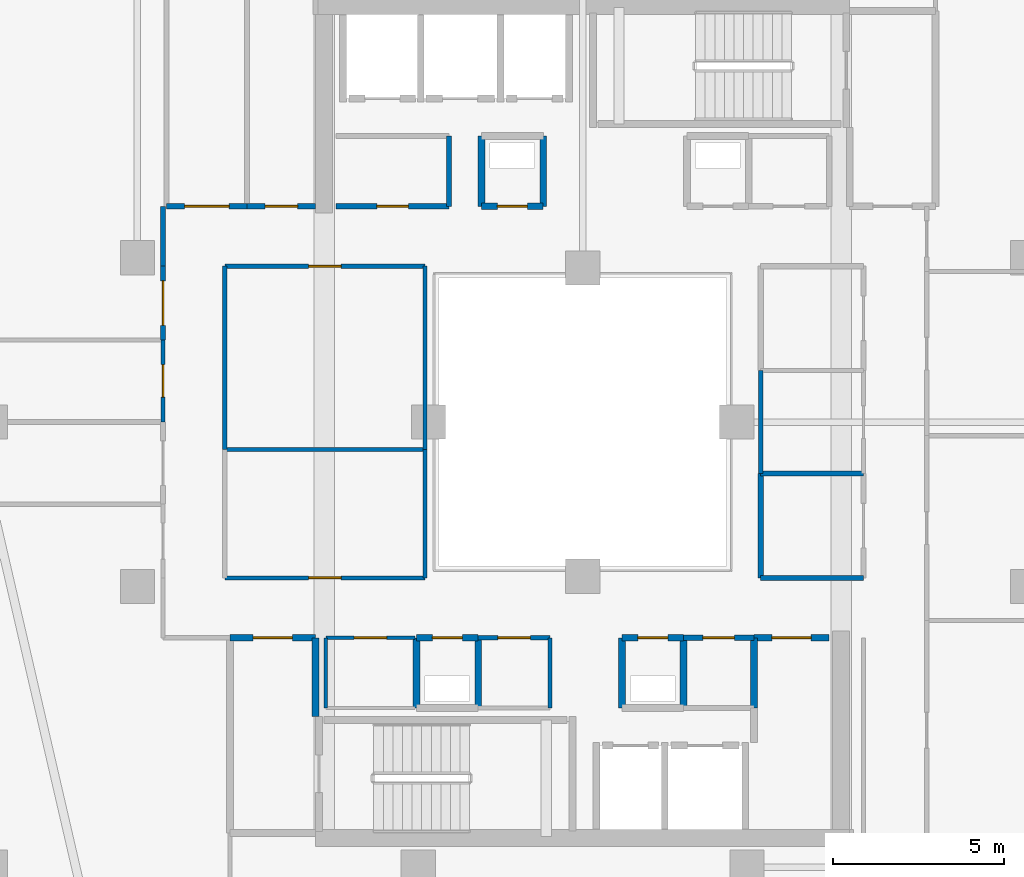
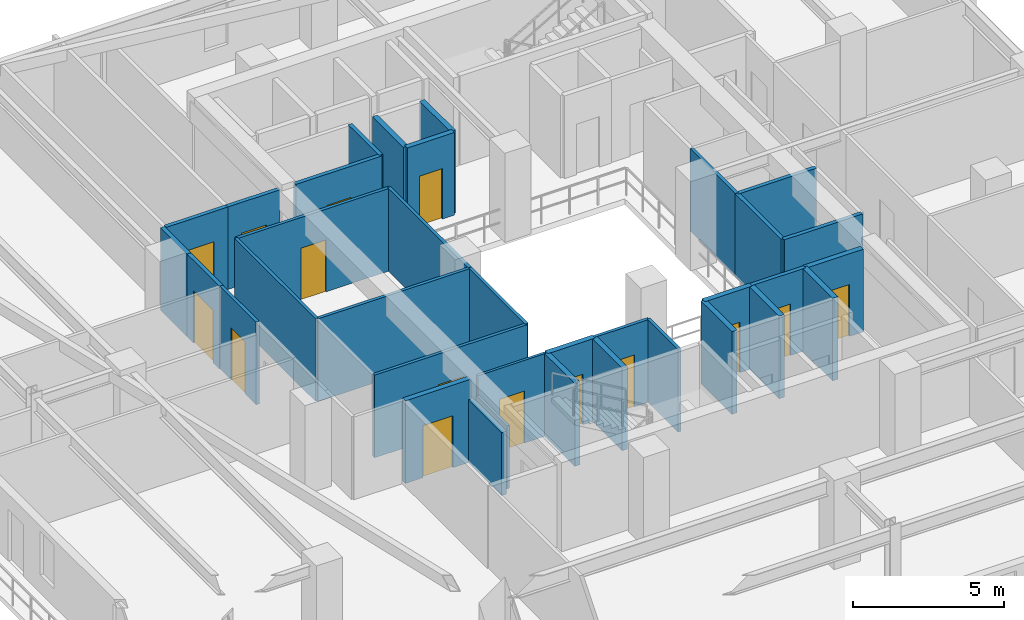
# One storey, part 19 of 32: 35 walls, 15 doors, 15 openings.
"""IFC4 building model written with IfcOpenShell, lengths in metres."""

from ifc_helpers import new_model, si_unit, direction, frame, frame_2d, origin, place, context, subcontext, project, spatial, rectangle, extrude, material, layer, layer_set, type_object, element, fill, save


model = new_model("IFC4")

# Units and contexts
model_context = context("Model", 3, precision=1e-05, world=origin(), true_north=direction((0.0, 1.0)))
body_context = subcontext(model_context, "Body", "Model", "MODEL_VIEW")
ifc_project = project(units=[si_unit("LENGTHUNIT", "METRE"), si_unit("AREAUNIT", "SQUARE_METRE"), si_unit("VOLUMEUNIT", "CUBIC_METRE"), si_unit("PLANEANGLEUNIT", "RADIAN"), si_unit("MASSUNIT", "GRAM", prefix="KILO")], contexts=[model_context])

# Site, building, storey
site_placement = place(None, origin())
site = spatial("IfcSite", under=ifc_project, at=site_placement, CompositionType="ELEMENT")
building_placement = place(site_placement, origin())
building = spatial("IfcBuilding", under=site, at=building_placement, Name="Thornwick Lancets Civic Towers", CompositionType="ELEMENT")
storey_placement = place(building_placement, frame((0.0, 0.0, 247.5)))
storey = spatial("IfcBuildingStorey", under=building, at=storey_placement, Name="L66", CompositionType="ELEMENT", Elevation=247.5)

# Wall
ifc_material_1 = material(Name="Concrete blockwork C40/50", Category="masonry")
ifc_layer_1 = layer(ifc_material_1, 0.199951171875, Name="Concrete blockwork C40/50")
ifc_layer_set_1 = layer_set([ifc_layer_1], Name="Concrete blockwork C40/50")
wall_type_1 = type_object("IfcWallType", Name="WALL_COMP_200", PredefinedType="STANDARD", material=ifc_layer_set_1)
wall_1_placement = place(storey_placement, frame((17.699951171875, 18.39990234375, 0.0), z_axis=(0.0, 0.0, 1.0), x_axis=(0.0, 1.0, 0.0)))
element("IfcWall", 1, at=wall_1_placement, inside=storey, type_object=wall_type_1, Name="L66 Partition L66-A-FFLOB1 E2", PredefinedType="STANDARD", context=body_context, shape_type="SweptSolid", body=[
    extrude(rectangle(XDim=2.300048828125, YDim=0.199951171875, at=frame_2d((1.14990234375, 0.0))), origin(), (0.0, 0.0, 1.0), 2.544921875),
])

# Wall, opening, door
wall_2_placement = place(storey_placement, frame((17.699951171875, 20.699951171875, 0.0), z_axis=(0.0, 0.0, 1.0), x_axis=(-1.0, 0.0, 0.0)))
wall_2 = element("IfcWall", 2, at=wall_2_placement, inside=storey, type_object=wall_type_1, Name="L66 Partition L66-A-FFLOB1 E3", PredefinedType="STANDARD", context=body_context, shape_type="SweptSolid", body=[
    extrude(rectangle(XDim=2.5, YDim=0.199951171875, at=frame_2d((1.25, 0.0))), origin(), (0.0, 0.0, 1.0), 3.340087890625),
])
opening_1_placement = place(wall_2_placement, frame((0.675048828125, 0.0, 0.0)))
opening_1 = element("IfcOpeningElement", 3, at=opening_1_placement, cuts=wall_2, Name="Opening D-L66-2973", PredefinedType="OPENING", context=body_context, shape_type="SweptSolid", body=[
    extrude(rectangle(XDim=1.14990234375, YDim=2.10009765625, at=frame_2d((0.574951171875, 1.050048828125))), frame((0.0, 0.10986328125, 0.0), z_axis=(0.0, -1.0, 0.0), x_axis=(1.0, 0.0, 0.0)), (0.0, 0.0, 1.0), 0.219970703125),
])
ifc_material_2 = material(Name="Glazed fire-resisting steel", Category="steel")
door_type_1 = type_object("IfcDoorType", Name="DOOR_LOBBY_FD60", OperationType="NOTDEFINED", PredefinedType="DOOR", material=ifc_material_2)
door_1_placement = place(opening_1_placement, origin())
door_1 = element("IfcDoor", 4, at=door_1_placement, inside=storey, type_object=door_type_1, Name="L66 South Firefighting Lobby 1 Door", OperationType="SINGLE_SWING_RIGHT", OverallHeight=2.10009765625, OverallWidth=1.14990234375, PredefinedType="DOOR", context=body_context, shape_type="SweptSolid", body=[
    extrude(rectangle(XDim=1.14990234375, YDim=2.10009765625, at=frame_2d((0.574951171875, 1.050048828125))), frame((0.0, 0.02490234375, 0.0), z_axis=(0.0, -1.0, 0.0), x_axis=(1.0, 0.0, 0.0)), (0.0, 0.0, 1.0), 0.050048828125),
])
fill(opening_1, door_1)

# Wall
wall_3_placement = place(storey_placement, frame((28.449951171875, 18.64990234375, 0.0), z_axis=(0.0, 0.0, 1.0), x_axis=(0.0, 1.0, 0.0)))
element("IfcWall", 5, at=wall_3_placement, inside=storey, type_object=wall_type_1, Name="L66 Partition L66-A-DUCT1 E2", PredefinedType="STANDARD", context=body_context, shape_type="SweptSolid", body=[
    extrude(rectangle(XDim=2.050048828125, YDim=0.199951171875, at=frame_2d((1.02490234375, 0.0))), origin(), (0.0, 0.0, 1.0), 3.340087890625),
])

# Wall, opening, door
wall_4_placement = place(storey_placement, frame((28.449951171875, 20.699951171875, 0.0), z_axis=(0.0, 0.0, 1.0), x_axis=(-1.0, 0.0, 0.0)))
wall_4 = element("IfcWall", 6, at=wall_4_placement, inside=storey, type_object=wall_type_1, Name="L66 Partition L66-A-DUCT1 E3", PredefinedType="STANDARD", context=body_context, shape_type="SweptSolid", body=[
    extrude(rectangle(XDim=1.800048828125, YDim=0.199951171875, at=frame_2d((0.89990234375, 0.0))), origin(), (0.0, 0.0, 1.0), 3.340087890625),
])
opening_2_placement = place(wall_4_placement, frame((0.4599609375, 0.0, 0.0)))
opening_2 = element("IfcOpeningElement", 7, at=opening_2_placement, cuts=wall_4, Name="Opening D-L66-2975", PredefinedType="OPENING", context=body_context, shape_type="SweptSolid", body=[
    extrude(rectangle(XDim=0.8798828125, YDim=2.0400390625, at=frame_2d((0.43994140625, 1.02001953125))), frame((0.0, 0.10986328125, 0.0), z_axis=(0.0, -1.0, 0.0), x_axis=(1.0, 0.0, 0.0)), (0.0, 0.0, 1.0), 0.219970703125),
])
ifc_material_3 = material(Name="Steel riser access doorset", Category="steel")
door_type_2 = type_object("IfcDoorType", Name="DOOR_RISER_850", OperationType="NOTDEFINED", PredefinedType="DOOR", material=ifc_material_3)
door_2_placement = place(opening_2_placement, origin())
door_2 = element("IfcDoor", 8, at=door_2_placement, inside=storey, type_object=door_type_2, Name="L66 South Service Duct 1 Door", OperationType="SINGLE_SWING_RIGHT", OverallHeight=2.0400390625, OverallWidth=0.8798828125, PredefinedType="DOOR", context=body_context, shape_type="SweptSolid", body=[
    extrude(rectangle(XDim=0.8798828125, YDim=2.0400390625, at=frame_2d((0.43994140625, 1.02001953125))), frame((0.0, 0.02490234375, 0.0), z_axis=(0.0, -1.0, 0.0), x_axis=(1.0, 0.0, 0.0)), (0.0, 0.0, 1.0), 0.050048828125),
])
fill(opening_2, door_2)

# Walls
for number, where, z_axis, x_axis, name in (
    (9, (26.64990234375, 20.699951171875, 0.0), (0.0, 0.0, 1.0), (0.0, -1.0, 0.0), "L66 Partition L66-A-DUCT1 E4"),
    (10, (22.449951171875, 18.64990234375, 0.0), (0.0, 0.0, 1.0), (0.0, 1.0, 0.0), "L66 Partition L66-A-RISER1 E2"),
):
    element("IfcWall", number, at=place(storey_placement, frame(where, z_axis=z_axis, x_axis=x_axis)), inside=storey, type_object=wall_type_1, Name=name, PredefinedType="STANDARD", context=body_context, shape_type="SweptSolid", body=[
        extrude(rectangle(XDim=2.050048828125, YDim=0.199951171875, at=frame_2d((1.02490234375, 0.0))), origin(), (0.0, 0.0, 1.0), 3.340087890625),
    ])

# Wall, opening, door
wall_5_placement = place(storey_placement, frame((22.449951171875, 20.699951171875, 0.0), z_axis=(0.0, 0.0, 1.0), x_axis=(-1.0, 0.0, 0.0)))
wall_5 = element("IfcWall", 11, at=wall_5_placement, inside=storey, type_object=wall_type_1, Name="L66 Partition L66-A-RISER1 E3", PredefinedType="STANDARD", context=body_context, shape_type="SweptSolid", body=[
    extrude(rectangle(XDim=1.800048828125, YDim=0.199951171875, at=frame_2d((0.89990234375, 0.0))), origin(), (0.0, 0.0, 1.0), 3.340087890625),
])
opening_3_placement = place(wall_5_placement, frame((0.4599609375, 0.0, 0.0)))
opening_3 = element("IfcOpeningElement", 12, at=opening_3_placement, cuts=wall_5, Name="Opening D-L66-2976", PredefinedType="OPENING", context=body_context, shape_type="SweptSolid", body=[
    extrude(rectangle(XDim=0.8798828125, YDim=2.0400390625, at=frame_2d((0.43994140625, 1.02001953125))), frame((0.0, 0.10986328125, 0.0), z_axis=(0.0, -1.0, 0.0), x_axis=(1.0, 0.0, 0.0)), (0.0, 0.0, 1.0), 0.219970703125),
])
door_3_placement = place(opening_3_placement, origin())
door_3 = element("IfcDoor", 13, at=door_3_placement, inside=storey, type_object=door_type_2, Name="L66 South Electrical Riser 1 Door", OperationType="SINGLE_SWING_LEFT", OverallHeight=2.0400390625, OverallWidth=0.8798828125, PredefinedType="DOOR", context=body_context, shape_type="SweptSolid", body=[
    extrude(rectangle(XDim=0.8798828125, YDim=2.0400390625, at=frame_2d((0.43994140625, 1.02001953125))), frame((0.0, 0.02490234375, 0.0), z_axis=(0.0, -1.0, 0.0), x_axis=(1.0, 0.0, 0.0)), (0.0, 0.0, 1.0), 0.050048828125),
])
fill(opening_3, door_3)

# Wall
wall_6_placement = place(storey_placement, frame((20.64990234375, 20.699951171875, 0.0), z_axis=(0.0, 0.0, 1.0), x_axis=(0.0, -1.0, 0.0)))
element("IfcWall", 14, at=wall_6_placement, inside=storey, type_object=wall_type_1, Name="L66 Partition L66-A-RISER1 E4", PredefinedType="STANDARD", context=body_context, shape_type="SweptSolid", body=[
    extrude(rectangle(XDim=2.050048828125, YDim=0.199951171875, at=frame_2d((1.02490234375, 0.0))), origin(), (0.0, 0.0, 1.0), 3.340087890625),
])

# Wall, opening, door
wall_7_placement = place(storey_placement, frame((22.550048828125, 33.300048828125, 0.0), z_axis=(0.0, 0.0, 1.0), x_axis=(1.0, 0.0, 0.0)))
wall_7 = element("IfcWall", 15, at=wall_7_placement, inside=storey, type_object=wall_type_1, Name="L66 Partition L66-A-DUCT2 E1", PredefinedType="STANDARD", context=body_context, shape_type="SweptSolid", body=[
    extrude(rectangle(XDim=1.800048828125, YDim=0.199951171875, at=frame_2d((0.89990234375, 0.0))), origin(), (0.0, 0.0, 1.0), 3.340087890625),
])
opening_4_placement = place(wall_7_placement, frame((0.4599609375, 0.0, 0.0)))
opening_4 = element("IfcOpeningElement", 16, at=opening_4_placement, cuts=wall_7, Name="Opening D-L66-2977", PredefinedType="OPENING", context=body_context, shape_type="SweptSolid", body=[
    extrude(rectangle(XDim=0.8798828125, YDim=2.0400390625, at=frame_2d((0.43994140625, 1.02001953125))), frame((0.0, 0.10986328125, 0.0), z_axis=(0.0, -1.0, 0.0), x_axis=(1.0, 0.0, 0.0)), (0.0, 0.0, 1.0), 0.219970703125),
])
door_4_placement = place(opening_4_placement, origin())
door_4 = element("IfcDoor", 17, at=door_4_placement, inside=storey, type_object=door_type_2, Name="L66 North Service Duct 2 Door", OperationType="SINGLE_SWING_RIGHT", OverallHeight=2.0400390625, OverallWidth=0.8798828125, PredefinedType="DOOR", context=body_context, shape_type="SweptSolid", body=[
    extrude(rectangle(XDim=0.8798828125, YDim=2.0400390625, at=frame_2d((0.43994140625, 1.02001953125))), frame((0.0, 0.02490234375, 0.0), z_axis=(0.0, -1.0, 0.0), x_axis=(1.0, 0.0, 0.0)), (0.0, 0.0, 1.0), 0.050048828125),
])
fill(opening_4, door_4)

# Walls
for number, where, z_axis, x_axis, name in (
    (18, (24.35009765625, 33.300048828125, 0.0), (0.0, 0.0, 1.0), (0.0, 1.0, 0.0), "L66 Partition L66-A-DUCT2 E2"),
    (19, (22.550048828125, 35.35009765625, 0.0), (0.0, 0.0, 1.0), (0.0, -1.0, 0.0), "L66 Partition L66-A-DUCT2 E4"),
    (20, (30.5, 18.64990234375, 0.0), (0.0, 0.0, 1.0), (0.0, 1.0, 0.0), "L66 Partition L66-A-STR2 E4"),
):
    element("IfcWall", number, at=place(storey_placement, frame(where, z_axis=z_axis, x_axis=x_axis)), inside=storey, type_object=wall_type_1, Name=name, PredefinedType="STANDARD", context=body_context, shape_type="SweptSolid", body=[
        extrude(rectangle(XDim=2.050048828125, YDim=0.199951171875, at=frame_2d((1.02490234375, 0.0))), origin(), (0.0, 0.0, 1.0), 3.340087890625),
    ])

# Wall, opening, door
wall_8_placement = place(storey_placement, frame((30.5, 20.699951171875, 0.0), z_axis=(0.0, 0.0, 1.0), x_axis=(1.0, 0.0, 0.0)))
wall_8 = element("IfcWall", 21, at=wall_8_placement, inside=storey, type_object=wall_type_1, Name="L66 Partition L66-A-STR2 E5", PredefinedType="STANDARD", context=body_context, shape_type="SweptSolid", body=[
    extrude(rectangle(XDim=2.199951171875, YDim=0.199951171875, at=frame_2d((1.10009765625, 0.0))), origin(), (0.0, 0.0, 1.0), 3.340087890625),
])
opening_5_placement = place(wall_8_placement, frame((0.52490234375, 0.0, 0.0)))
opening_5 = element("IfcOpeningElement", 22, at=opening_5_placement, cuts=wall_8, Name="Opening D-L66-2982", PredefinedType="OPENING", context=body_context, shape_type="SweptSolid", body=[
    extrude(rectangle(XDim=1.14990234375, YDim=2.10009765625, at=frame_2d((0.574951171875, 1.050048828125))), frame((0.0, 0.10986328125, 0.0), z_axis=(0.0, -1.0, 0.0), x_axis=(1.0, 0.0, 0.0)), (0.0, 0.0, 1.0), 0.219970703125),
])
door_5_placement = place(opening_5_placement, origin())
door_5 = element("IfcDoor", 23, at=door_5_placement, inside=storey, type_object=door_type_1, Name="L66 Tower A Core Supplies Store Door", OperationType="SINGLE_SWING_LEFT", OverallHeight=2.10009765625, OverallWidth=1.14990234375, PredefinedType="DOOR", context=body_context, shape_type="SweptSolid", body=[
    extrude(rectangle(XDim=1.14990234375, YDim=2.10009765625, at=frame_2d((0.574951171875, 1.050048828125))), frame((0.0, 0.02490234375, 0.0), z_axis=(0.0, -1.0, 0.0), x_axis=(1.0, 0.0, 0.0)), (0.0, 0.0, 1.0), 0.050048828125),
])
fill(opening_5, door_5)

ifc_material_4 = material(Name="Lightweight cellular office partition")
ifc_layer_2 = layer(ifc_material_4, 0.10009765625, Name="Lightweight cellular office partition")
ifc_layer_set_2 = layer_set([ifc_layer_2], Name="Lightweight cellular office partition")
wall_type_2 = type_object("IfcWallType", Name="WALL_PART_100", PredefinedType="PARTITIONING", material=ifc_layer_set_2)
wall_9_placement = place(storey_placement, frame((20.60009765625, 20.699951171875, 0.0), z_axis=(0.0, 0.0, 1.0), x_axis=(-1.0, 0.0, 0.0)))
wall_9 = element("IfcWall", 24, at=wall_9_placement, inside=storey, type_object=wall_type_2, Name="L66 Partition L66-A-CLN E3", PredefinedType="PARTITIONING", context=body_context, shape_type="SweptSolid", body=[
    extrude(rectangle(XDim=2.60009765625, YDim=0.10009765625, at=frame_2d((1.300048828125, 0.0))), origin(), (0.0, 0.0, 1.0), 3.340087890625),
])
opening_6_placement = place(wall_9_placement, frame((0.824951171875, 0.0, 0.0)))
opening_6 = element("IfcOpeningElement", 25, at=opening_6_placement, cuts=wall_9, Name="Opening D-L66-2979", PredefinedType="OPENING", context=body_context, shape_type="SweptSolid", body=[
    extrude(rectangle(XDim=0.949951171875, YDim=2.10009765625, at=frame_2d((0.47509765625, 1.050048828125))), frame((0.0, 0.06005859375, 0.0), z_axis=(0.0, -1.0, 0.0), x_axis=(1.0, 0.0, 0.0)), (0.0, 0.0, 1.0), 0.1201171875),
])
ifc_material_5 = material(Name="European oak acoustic doorset")
door_type_3 = type_object("IfcDoorType", Name="DOOR_OFFICE_950", OperationType="NOTDEFINED", PredefinedType="DOOR", material=ifc_material_5)
door_6_placement = place(opening_6_placement, origin())
door_6 = element("IfcDoor", 26, at=door_6_placement, inside=storey, type_object=door_type_3, Name="L66 Tower A Cleaners Store Door", OperationType="SINGLE_SWING_RIGHT", OverallHeight=2.10009765625, OverallWidth=0.949951171875, PredefinedType="DOOR", context=body_context, shape_type="SweptSolid", body=[
    extrude(rectangle(XDim=0.949951171875, YDim=2.10009765625, at=frame_2d((0.47509765625, 1.050048828125))), frame((0.0, 0.02490234375, 0.0), z_axis=(0.0, -1.0, 0.0), x_axis=(1.0, 0.0, 0.0)), (0.0, 0.0, 1.0), 0.050048828125),
])
fill(opening_6, door_6)

# Walls
wall_10_placement = place(storey_placement, frame((18.0, 20.699951171875, 0.0), z_axis=(0.0, 0.0, 1.0), x_axis=(0.0, -1.0, 0.0)))
element("IfcWall", 27, at=wall_10_placement, inside=storey, type_object=wall_type_2, Name="L66 Partition L66-A-CLN E4", PredefinedType="PARTITIONING", context=body_context, shape_type="SweptSolid", body=[
    extrude(rectangle(XDim=2.050048828125, YDim=0.10009765625, at=frame_2d((1.02490234375, 0.0))), origin(), (0.0, 0.0, 1.0), 2.544921875),
])
ifc_material_6 = material(Name="Acoustic gypsum board partition")
ifc_layer_3 = layer(ifc_material_6, 0.1201171875, Name="Acoustic gypsum board partition")
ifc_layer_set_3 = layer_set([ifc_layer_3], Name="Acoustic gypsum board partition")
wall_type_3 = type_object("IfcWallType", Name="WALL_PART_120", PredefinedType="PARTITIONING", material=ifc_layer_set_3)
wall_11_placement = place(storey_placement, frame((24.550048828125, 20.699951171875, 0.0), z_axis=(0.0, 0.0, 1.0), x_axis=(0.0, -1.0, 0.0)))
element("IfcWall", 28, at=wall_11_placement, inside=storey, type_object=wall_type_3, Name="L66 Partition L66-A-ITR E1", PredefinedType="PARTITIONING", context=body_context, shape_type="SweptSolid", body=[
    extrude(rectangle(XDim=2.050048828125, YDim=0.1201171875, at=frame_2d((1.02490234375, 0.0))), origin(), (0.0, 0.0, 1.0), 3.340087890625),
])

# Wall, opening, door
wall_12_placement = place(storey_placement, frame((22.449951171875, 20.699951171875, 0.0), z_axis=(0.0, 0.0, 1.0), x_axis=(1.0, 0.0, 0.0)))
wall_12 = element("IfcWall", 29, at=wall_12_placement, inside=storey, type_object=wall_type_3, Name="L66 Partition L66-A-ITR E4", PredefinedType="PARTITIONING", context=body_context, shape_type="SweptSolid", body=[
    extrude(rectangle(XDim=2.10009765625, YDim=0.1201171875, at=frame_2d((1.050048828125, 0.0))), origin(), (0.0, 0.0, 1.0), 3.340087890625),
])
opening_7_placement = place(wall_12_placement, frame((0.574951171875, 0.0, 0.0)))
opening_7 = element("IfcOpeningElement", 30, at=opening_7_placement, cuts=wall_12, Name="Opening D-L66-2980", PredefinedType="OPENING", context=body_context, shape_type="SweptSolid", body=[
    extrude(rectangle(XDim=0.949951171875, YDim=2.10009765625, at=frame_2d((0.47509765625, 1.050048828125))), frame((0.0, 0.070068359375, 0.0), z_axis=(0.0, -1.0, 0.0), x_axis=(1.0, 0.0, 0.0)), (0.0, 0.0, 1.0), 0.14013671875),
])
door_7_placement = place(opening_7_placement, origin())
door_7 = element("IfcDoor", 31, at=door_7_placement, inside=storey, type_object=door_type_3, Name="L66 Tower A Comms Patch Room Door", OperationType="SINGLE_SWING_LEFT", OverallHeight=2.10009765625, OverallWidth=0.949951171875, PredefinedType="DOOR", context=body_context, shape_type="SweptSolid", body=[
    extrude(rectangle(XDim=0.949951171875, YDim=2.10009765625, at=frame_2d((0.47509765625, 1.050048828125))), frame((0.0, 0.02490234375, 0.0), z_axis=(0.0, -1.0, 0.0), x_axis=(1.0, 0.0, 0.0)), (0.0, 0.0, 1.0), 0.050048828125),
])
fill(opening_7, door_7)

wall_13_placement = place(storey_placement, frame((13.25, 29.39990234375, 0.0), z_axis=(0.0, 0.0, 1.0), x_axis=(0.0, -1.0, 0.0)))
wall_13 = element("IfcWall", 32, at=wall_13_placement, inside=storey, type_object=wall_type_3, Name="L66 Partition L66-A-W2B E4", PredefinedType="PARTITIONING", context=body_context, shape_type="SweptSolid", body=[
    extrude(rectangle(XDim=2.39990234375, YDim=0.1201171875, at=frame_2d((1.199951171875, 0.0))), origin(), (0.0, 0.0, 1.0), 3.340087890625),
])
opening_8_placement = place(wall_13_placement, frame((0.72509765625, 0.0, 0.0)))
opening_8 = element("IfcOpeningElement", 33, at=opening_8_placement, cuts=wall_13, Name="Opening D-L66-3002", PredefinedType="OPENING", context=body_context, shape_type="SweptSolid", body=[
    extrude(rectangle(XDim=0.949951171875, YDim=2.10009765625, at=frame_2d((0.47509765625, 1.050048828125))), frame((0.0, 0.070068359375, 0.0), z_axis=(0.0, -1.0, 0.0), x_axis=(1.0, 0.0, 0.0)), (0.0, 0.0, 1.0), 0.14013671875),
])
door_8_placement = place(opening_8_placement, origin())
door_8 = element("IfcDoor", 34, at=door_8_placement, inside=storey, type_object=door_type_3, Name="L66 Tower A Senior Counsel Office W2B Door", OperationType="SINGLE_SWING_LEFT", OverallHeight=2.10009765625, OverallWidth=0.949951171875, PredefinedType="DOOR", context=body_context, shape_type="SweptSolid", body=[
    extrude(rectangle(XDim=0.949951171875, YDim=2.10009765625, at=frame_2d((0.47509765625, 1.050048828125))), frame((0.0, 0.02490234375, 0.0), z_axis=(0.0, -1.0, 0.0), x_axis=(1.0, 0.0, 0.0)), (0.0, 0.0, 1.0), 0.050048828125),
])
fill(opening_8, door_8)

# Walls
wall_14_placement = place(storey_placement, frame((15.050048828125, 26.199951171875, 0.0), z_axis=(0.0, 0.0, 1.0), x_axis=(1.0, 0.0, 0.0)))
element("IfcWall", 35, at=wall_14_placement, inside=storey, type_object=wall_type_3, Name="L66 Partition L66-A-W3 E2", PredefinedType="PARTITIONING", context=body_context, shape_type="SweptSolid", body=[
    extrude(rectangle(XDim=5.849853515625, YDim=0.1201171875, at=frame_2d((2.9248046875, 0.0))), origin(), (0.0, 0.0, 1.0), 3.340087890625),
])
wall_15_placement = place(storey_placement, frame((20.89990234375, 26.199951171875, 0.0), z_axis=(0.0, 0.0, 1.0), x_axis=(0.0, -1.0, 0.0)))
element("IfcWall", 36, at=wall_15_placement, inside=storey, type_object=wall_type_3, Name="L66 Partition L66-A-W3 E3", PredefinedType="PARTITIONING", context=body_context, shape_type="SweptSolid", body=[
    extrude(rectangle(XDim=3.75, YDim=0.1201171875, at=frame_2d((1.875, 0.0))), origin(), (0.0, 0.0, 1.0), 3.340087890625),
])

# Wall, opening, door
wall_16_placement = place(storey_placement, frame((20.89990234375, 22.449951171875, 0.0), z_axis=(0.0, 0.0, 1.0), x_axis=(-1.0, 0.0, 0.0)))
wall_16 = element("IfcWall", 37, at=wall_16_placement, inside=storey, type_object=wall_type_3, Name="L66 Partition L66-A-W3 E4", PredefinedType="PARTITIONING", context=body_context, shape_type="SweptSolid", body=[
    extrude(rectangle(XDim=5.849853515625, YDim=0.1201171875, at=frame_2d((2.9248046875, 0.0))), origin(), (0.0, 0.0, 1.0), 3.340087890625),
])
opening_9_placement = place(wall_16_placement, frame((2.449951171875, 0.0, 0.0)))
opening_9 = element("IfcOpeningElement", 38, at=opening_9_placement, cuts=wall_16, Name="Opening D-L66-3004", PredefinedType="OPENING", context=body_context, shape_type="SweptSolid", body=[
    extrude(rectangle(XDim=0.949951171875, YDim=2.10009765625, at=frame_2d((0.47509765625, 1.050048828125))), frame((0.0, 0.070068359375, 0.0), z_axis=(0.0, -1.0, 0.0), x_axis=(1.0, 0.0, 0.0)), (0.0, 0.0, 1.0), 0.14013671875),
])
door_9_placement = place(opening_9_placement, origin())
door_9 = element("IfcDoor", 39, at=door_9_placement, inside=storey, type_object=door_type_3, Name="L66 Tower A Staff Tea Pantry and Lounge Door", OperationType="SINGLE_SWING_LEFT", OverallHeight=2.10009765625, OverallWidth=0.949951171875, PredefinedType="DOOR", context=body_context, shape_type="SweptSolid", body=[
    extrude(rectangle(XDim=0.949951171875, YDim=2.10009765625, at=frame_2d((0.47509765625, 1.050048828125))), frame((0.0, 0.02490234375, 0.0), z_axis=(0.0, -1.0, 0.0), x_axis=(1.0, 0.0, 0.0)), (0.0, 0.0, 1.0), 0.050048828125),
])
fill(opening_9, door_9)

# Wall
wall_17_placement = place(storey_placement, frame((15.050048828125, 26.199951171875, 0.0), z_axis=(0.0, 0.0, 1.0), x_axis=(0.0, 1.0, 0.0)))
element("IfcWall", 40, at=wall_17_placement, inside=storey, type_object=wall_type_3, Name="L66 Partition L66-A-W4 E1", PredefinedType="PARTITIONING", context=body_context, shape_type="SweptSolid", body=[
    extrude(rectangle(XDim=5.35009765625, YDim=0.1201171875, at=frame_2d((2.675048828125, 0.0))), origin(), (0.0, 0.0, 1.0), 3.340087890625),
])

# Wall, opening, door
wall_18_placement = place(storey_placement, frame((15.050048828125, 31.550048828125, 0.0), z_axis=(0.0, 0.0, 1.0), x_axis=(1.0, 0.0, 0.0)))
wall_18 = element("IfcWall", 41, at=wall_18_placement, inside=storey, type_object=wall_type_3, Name="L66 Partition L66-A-W4 E2", PredefinedType="PARTITIONING", context=body_context, shape_type="SweptSolid", body=[
    extrude(rectangle(XDim=5.849853515625, YDim=0.1201171875, at=frame_2d((2.9248046875, 0.0))), origin(), (0.0, 0.0, 1.0), 3.340087890625),
])
opening_10_placement = place(wall_18_placement, frame((2.449951171875, 0.0, 0.0)))
opening_10 = element("IfcOpeningElement", 42, at=opening_10_placement, cuts=wall_18, Name="Opening D-L66-3005", PredefinedType="OPENING", context=body_context, shape_type="SweptSolid", body=[
    extrude(rectangle(XDim=0.949951171875, YDim=2.10009765625, at=frame_2d((0.47509765625, 1.050048828125))), frame((0.0, 0.070068359375, 0.0), z_axis=(0.0, -1.0, 0.0), x_axis=(1.0, 0.0, 0.0)), (0.0, 0.0, 1.0), 0.14013671875),
])
door_10_placement = place(opening_10_placement, origin())
door_10 = element("IfcDoor", 43, at=door_10_placement, inside=storey, type_object=door_type_3, Name="L66 Tower A Statutory Research Library W4 Door", OperationType="SINGLE_SWING_RIGHT", OverallHeight=2.10009765625, OverallWidth=0.949951171875, PredefinedType="DOOR", context=body_context, shape_type="SweptSolid", body=[
    extrude(rectangle(XDim=0.949951171875, YDim=2.10009765625, at=frame_2d((0.47509765625, 1.050048828125))), frame((0.0, 0.02490234375, 0.0), z_axis=(0.0, -1.0, 0.0), x_axis=(1.0, 0.0, 0.0)), (0.0, 0.0, 1.0), 0.050048828125),
])
fill(opening_10, door_10)

# Walls
wall_19_placement = place(storey_placement, frame((20.89990234375, 31.550048828125, 0.0), z_axis=(0.0, 0.0, 1.0), x_axis=(0.0, -1.0, 0.0)))
element("IfcWall", 44, at=wall_19_placement, inside=storey, type_object=wall_type_3, Name="L66 Partition L66-A-W4 E3", PredefinedType="PARTITIONING", context=body_context, shape_type="SweptSolid", body=[
    extrude(rectangle(XDim=5.35009765625, YDim=0.1201171875, at=frame_2d((2.675048828125, 0.0))), origin(), (0.0, 0.0, 1.0), 3.340087890625),
])
wall_20_placement = place(storey_placement, frame((30.699951171875, 25.5, 0.0), z_axis=(0.0, 0.0, 1.0), x_axis=(0.0, 1.0, 0.0)))
element("IfcWall", 45, at=wall_20_placement, inside=storey, type_object=wall_type_3, Name="L66 Partition L66-A-E-ATR-2 E1", PredefinedType="PARTITIONING", context=body_context, shape_type="SweptSolid", body=[
    extrude(rectangle(XDim=3.0, YDim=0.1201171875, at=frame_2d((1.5, 0.0))), origin(), (0.0, 0.0, 1.0), 3.340087890625),
])

# Wall, opening, door
ifc_material_7 = material(Name="Twin-stud acoustic gypsum board")
ifc_layer_4 = layer(ifc_material_7, 0.14990234375, Name="Twin-stud acoustic gypsum board")
ifc_layer_set_4 = layer_set([ifc_layer_4], Name="Twin-stud acoustic gypsum board")
wall_type_4 = type_object("IfcWallType", Name="WALL_PART_150", PredefinedType="PARTITIONING", material=ifc_layer_set_4)
wall_21_placement = place(storey_placement, frame((28.449951171875, 20.699951171875, 0.0), z_axis=(0.0, 0.0, 1.0), x_axis=(1.0, 0.0, 0.0)))
wall_21 = element("IfcWall", 46, at=wall_21_placement, inside=storey, type_object=wall_type_4, Name="L66 Partition L66-A-AWC E4", PredefinedType="PARTITIONING", context=body_context, shape_type="SweptSolid", body=[
    extrude(rectangle(XDim=2.050048828125, YDim=0.14990234375, at=frame_2d((1.02490234375, 0.0))), origin(), (0.0, 0.0, 1.0), 3.340087890625),
])
opening_11_placement = place(wall_21_placement, frame((0.56494140625, 0.0, 0.0)))
opening_11 = element("IfcOpeningElement", 47, at=opening_11_placement, cuts=wall_21, Name="Opening D-L66-2981", PredefinedType="OPENING", context=body_context, shape_type="SweptSolid", body=[
    extrude(rectangle(XDim=0.919921875, YDim=2.080078125, at=frame_2d((0.4599609375, 1.0400390625))), frame((0.0, 0.0849609375, 0.0), z_axis=(0.0, -1.0, 0.0), x_axis=(1.0, 0.0, 0.0)), (0.0, 0.0, 1.0), 0.169921875),
])
ifc_material_8 = material(Name="Moisture-resistant oak doorset")
door_type_4 = type_object("IfcDoorType", Name="DOOR_WC_900", OperationType="NOTDEFINED", PredefinedType="DOOR", material=ifc_material_8)
door_11_placement = place(opening_11_placement, origin())
door_11 = element("IfcDoor", 48, at=door_11_placement, inside=storey, type_object=door_type_4, Name="L66 Tower A Accessible WC Door", OperationType="SINGLE_SWING_RIGHT", OverallHeight=2.080078125, OverallWidth=0.919921875, PredefinedType="DOOR", context=body_context, shape_type="SweptSolid", body=[
    extrude(rectangle(XDim=0.919921875, YDim=2.080078125, at=frame_2d((0.4599609375, 1.0400390625))), frame((0.0, 0.02490234375, 0.0), z_axis=(0.0, -1.0, 0.0), x_axis=(1.0, 0.0, 0.0)), (0.0, 0.0, 1.0), 0.050048828125),
])
fill(opening_11, door_11)

wall_22_placement = place(storey_placement, frame((18.300048828125, 33.300048828125, 0.0), z_axis=(0.0, 0.0, 1.0), x_axis=(1.0, 0.0, 0.0)))
wall_22 = element("IfcWall", 49, at=wall_22_placement, inside=storey, type_object=wall_type_4, Name="L66 Partition L66-A-MWC E1", PredefinedType="PARTITIONING", context=body_context, shape_type="SweptSolid", body=[
    extrude(rectangle(XDim=3.300048828125, YDim=0.14990234375, at=frame_2d((1.64990234375, 0.0))), origin(), (0.0, 0.0, 1.0), 3.340087890625),
])
opening_12_placement = place(wall_22_placement, frame((1.18994140625, 0.0, 0.0)))
opening_12 = element("IfcOpeningElement", 50, at=opening_12_placement, cuts=wall_22, Name="Opening D-L66-2983", PredefinedType="OPENING", context=body_context, shape_type="SweptSolid", body=[
    extrude(rectangle(XDim=0.919921875, YDim=2.080078125, at=frame_2d((0.4599609375, 1.0400390625))), frame((0.0, 0.0849609375, 0.0), z_axis=(0.0, -1.0, 0.0), x_axis=(1.0, 0.0, 0.0)), (0.0, 0.0, 1.0), 0.169921875),
])
door_12_placement = place(opening_12_placement, origin())
door_12 = element("IfcDoor", 51, at=door_12_placement, inside=storey, type_object=door_type_4, Name="L66 Tower A Male WC Door", OperationType="SINGLE_SWING_RIGHT", OverallHeight=2.080078125, OverallWidth=0.919921875, PredefinedType="DOOR", context=body_context, shape_type="SweptSolid", body=[
    extrude(rectangle(XDim=0.919921875, YDim=2.080078125, at=frame_2d((0.4599609375, 1.0400390625))), frame((0.0, 0.02490234375, 0.0), z_axis=(0.0, -1.0, 0.0), x_axis=(1.0, 0.0, 0.0)), (0.0, 0.0, 1.0), 0.050048828125),
])
fill(opening_12, door_12)

# Wall
wall_23_placement = place(storey_placement, frame((21.60009765625, 33.300048828125, 0.0), z_axis=(0.0, 0.0, 1.0), x_axis=(0.0, 1.0, 0.0)))
element("IfcWall", 52, at=wall_23_placement, inside=storey, type_object=wall_type_4, Name="L66 Partition L66-A-MWC E2", PredefinedType="PARTITIONING", context=body_context, shape_type="SweptSolid", body=[
    extrude(rectangle(XDim=2.050048828125, YDim=0.14990234375, at=frame_2d((1.02490234375, 0.0))), origin(), (0.0, 0.0, 1.0), 3.340087890625),
])

# Wall, opening, door
wall_24_placement = place(storey_placement, frame((15.699951171875, 33.300048828125, 0.0), z_axis=(0.0, 0.0, 1.0), x_axis=(-1.0, 0.0, 0.0)))
wall_24 = element("IfcWall", 53, at=wall_24_placement, inside=storey, type_object=wall_type_4, Name="L66 Partition L66-A-RECLAIM-M1 E4", PredefinedType="PARTITIONING", context=body_context, shape_type="SweptSolid", body=[
    extrude(rectangle(XDim=2.349853515625, YDim=0.14990234375, at=frame_2d((1.1748046875, 0.0))), origin(), (0.0, 0.0, 1.0), 3.340087890625),
])
opening_13_placement = place(wall_24_placement, frame((0.52490234375, 0.0, 0.0)))
opening_13 = element("IfcOpeningElement", 54, at=opening_13_placement, cuts=wall_24, Name="Opening D-L66-2998", PredefinedType="OPENING", context=body_context, shape_type="SweptSolid", body=[
    extrude(rectangle(XDim=1.300048828125, YDim=2.1201171875, at=frame_2d((0.64990234375, 1.06005859375))), frame((0.0, 0.0849609375, 0.0), z_axis=(0.0, -1.0, 0.0), x_axis=(1.0, 0.0, 0.0)), (0.0, 0.0, 1.0), 0.169921875),
])
ifc_material_9 = material(Name="Acoustic oak leaf-and-a-half doorset")
door_type_5 = type_object("IfcDoorType", Name="DOOR_MEET_1300", OperationType="DOUBLE_DOOR_SINGLE_SWING", PredefinedType="DOOR", material=ifc_material_9)
door_13_placement = place(opening_13_placement, origin())
door_13 = element("IfcDoor", 55, at=door_13_placement, inside=storey, type_object=door_type_5, Name="L66 Tower A Diplomatic Conference Room Door", OperationType="DOUBLE_DOOR_SINGLE_SWING", OverallHeight=2.1201171875, OverallWidth=1.300048828125, PredefinedType="DOOR", context=body_context, shape_type="SweptSolid", body=[
    extrude(rectangle(XDim=1.300048828125, YDim=2.1201171875, at=frame_2d((0.64990234375, 1.06005859375))), frame((0.0, 0.02490234375, 0.0), z_axis=(0.0, -1.0, 0.0), x_axis=(1.0, 0.0, 0.0)), (0.0, 0.0, 1.0), 0.050048828125),
])
fill(opening_13, door_13)

wall_25_placement = place(storey_placement, frame((17.699951171875, 33.300048828125, 0.0), z_axis=(0.0, 0.0, 1.0), x_axis=(-1.0, 0.0, 0.0)))
wall_25 = element("IfcWall", 56, at=wall_25_placement, inside=storey, type_object=wall_type_4, Name="L66 Partition L66-A-RECLAIM-M2 E4", PredefinedType="PARTITIONING", context=body_context, shape_type="SweptSolid", body=[
    extrude(rectangle(XDim=2.0, YDim=0.14990234375, at=frame_2d((1.0, 0.0))), origin(), (0.0, 0.0, 1.0), 3.340087890625),
])
opening_14_placement = place(wall_25_placement, frame((0.52490234375, 0.0, 0.0)))
opening_14 = element("IfcOpeningElement", 57, at=opening_14_placement, cuts=wall_25, Name="Opening D-L66-2999", PredefinedType="OPENING", context=body_context, shape_type="SweptSolid", body=[
    extrude(rectangle(XDim=0.949951171875, YDim=2.10009765625, at=frame_2d((0.47509765625, 1.050048828125))), frame((0.0, 0.0849609375, 0.0), z_axis=(0.0, -1.0, 0.0), x_axis=(1.0, 0.0, 0.0)), (0.0, 0.0, 1.0), 0.169921875),
])
door_14_placement = place(opening_14_placement, origin())
door_14 = element("IfcDoor", 58, at=door_14_placement, inside=storey, type_object=door_type_3, Name="L66 Tower A Executive Records Archive Door", OperationType="SINGLE_SWING_RIGHT", OverallHeight=2.10009765625, OverallWidth=0.949951171875, PredefinedType="DOOR", context=body_context, shape_type="SweptSolid", body=[
    extrude(rectangle(XDim=0.949951171875, YDim=2.10009765625, at=frame_2d((0.47509765625, 1.050048828125))), frame((0.0, 0.02490234375, 0.0), z_axis=(0.0, -1.0, 0.0), x_axis=(1.0, 0.0, 0.0)), (0.0, 0.0, 1.0), 0.050048828125),
])
fill(opening_14, door_14)

# Wall
wall_26_placement = place(storey_placement, frame((13.25, 33.300048828125, 0.0), z_axis=(0.0, 0.0, 1.0), x_axis=(0.0, -1.0, 0.0)))
element("IfcWall", 59, at=wall_26_placement, inside=storey, type_object=wall_type_4, Name="L66 Partition L66-A-W2C E5", PredefinedType="PARTITIONING", context=body_context, shape_type="SweptSolid", body=[
    extrude(rectangle(XDim=1.75, YDim=0.14990234375, at=frame_2d((0.875, 0.0))), origin(), (0.0, 0.0, 1.0), 3.340087890625),
])

# Wall, opening, door
wall_27_placement = place(storey_placement, frame((13.25, 31.550048828125, 0.0), z_axis=(0.0, 0.0, 1.0), x_axis=(0.0, -1.0, 0.0)))
wall_27 = element("IfcWall", 60, at=wall_27_placement, inside=storey, type_object=wall_type_4, Name="L66 Partition L66-A-W2C E6", PredefinedType="PARTITIONING", context=body_context, shape_type="SweptSolid", body=[
    extrude(rectangle(XDim=2.150146484375, YDim=0.14990234375, at=frame_2d((1.0751953125, 0.0))), origin(), (0.0, 0.0, 1.0), 3.340087890625),
])
opening_15_placement = place(wall_27_placement, frame((0.425048828125, 0.0, 0.0)))
opening_15 = element("IfcOpeningElement", 61, at=opening_15_placement, cuts=wall_27, Name="Opening D-L66-3003", PredefinedType="OPENING", context=body_context, shape_type="SweptSolid", body=[
    extrude(rectangle(XDim=1.300048828125, YDim=2.1201171875, at=frame_2d((0.64990234375, 1.06005859375))), frame((0.0, 0.0849609375, 0.0), z_axis=(0.0, -1.0, 0.0), x_axis=(1.0, 0.0, 0.0)), (0.0, 0.0, 1.0), 0.169921875),
])
door_15_placement = place(opening_15_placement, origin())
door_15 = element("IfcDoor", 62, at=door_15_placement, inside=storey, type_object=door_type_5, Name="L66 Tower A Statutory Hearing Room W2C Door", OperationType="DOUBLE_DOOR_SINGLE_SWING", OverallHeight=2.1201171875, OverallWidth=1.300048828125, PredefinedType="DOOR", context=body_context, shape_type="SweptSolid", body=[
    extrude(rectangle(XDim=1.300048828125, YDim=2.1201171875, at=frame_2d((0.64990234375, 1.06005859375))), frame((0.0, 0.02490234375, 0.0), z_axis=(0.0, -1.0, 0.0), x_axis=(1.0, 0.0, 0.0)), (0.0, 0.0, 1.0), 0.050048828125),
])
fill(opening_15, door_15)

# Walls
wall_28_placement = place(storey_placement, frame((30.699951171875, 22.449951171875, 0.0), z_axis=(0.0, 0.0, 1.0), x_axis=(0.0, 1.0, 0.0)))
element("IfcWall", 63, at=wall_28_placement, inside=storey, type_object=wall_type_4, Name="L66 Partition L66-A-E-ATR-1 E1", PredefinedType="PARTITIONING", context=body_context, shape_type="SweptSolid", body=[
    extrude(rectangle(XDim=3.050048828125, YDim=0.14990234375, at=frame_2d((1.52490234375, 0.0))), origin(), (0.0, 0.0, 1.0), 3.340087890625),
])
for number, where, z_axis, x_axis, name in (
    (64, (30.699951171875, 25.5, 0.0), (0.0, 0.0, 1.0), (1.0, 0.0, 0.0), "L66 Partition L66-A-E-ATR-1 E2"),
    (65, (33.699951171875, 22.449951171875, 0.0), (0.0, 0.0, 1.0), (-1.0, 0.0, 0.0), "L66 Partition L66-A-E-ATR-1 E4"),
):
    element("IfcWall", number, at=place(storey_placement, frame(where, z_axis=z_axis, x_axis=x_axis)), inside=storey, type_object=wall_type_4, Name=name, PredefinedType="PARTITIONING", context=body_context, shape_type="SweptSolid", body=[
        extrude(rectangle(XDim=3.0, YDim=0.14990234375, at=frame_2d((1.5, 0.0))), origin(), (0.0, 0.0, 1.0), 3.340087890625),
    ])

save(model, "model.ifc")
